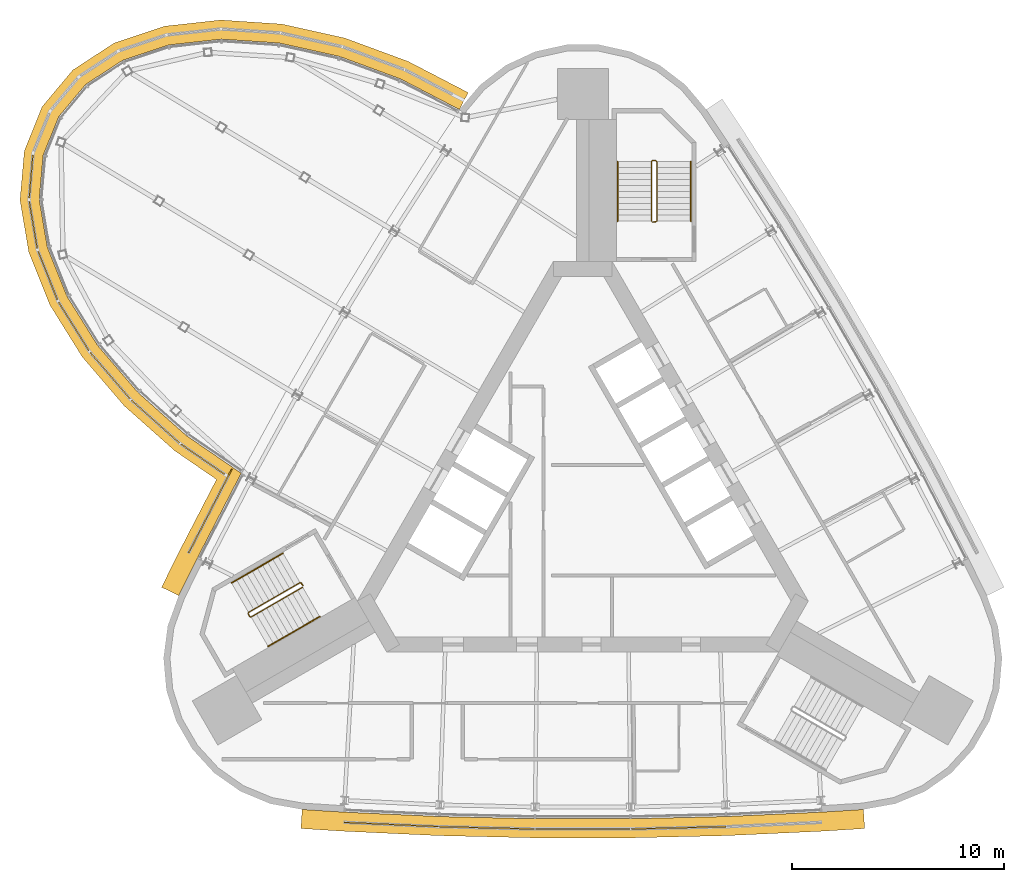
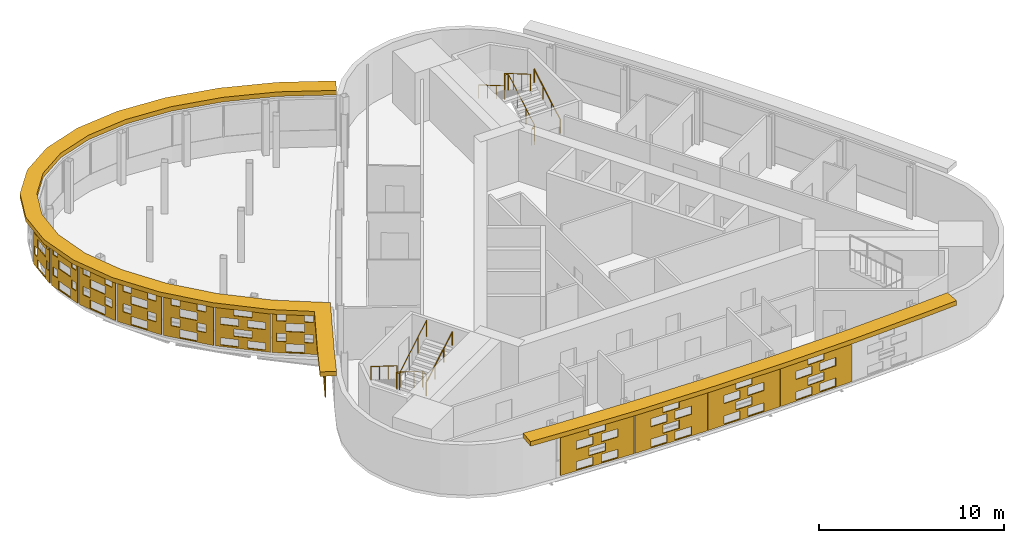
# One storey, part 12 of 13: 14 shading devices, 6 railings.
"""IFC4 building model written with IfcOpenShell, lengths in metres."""

from ifc_helpers import new_model, si_unit, direction, frame, origin, origin_2d, place, context, subcontext, project, spatial, polyline, circle, outline, extrude, material, layer, layer_set, material_profile, profile_set, type_object, element, save


model = new_model("IFC4")

# Units and contexts
model_context = context("Model", 3, precision=1e-05, world=origin(), true_north=direction((0.0, 1.0)))
body_context = subcontext(model_context, "Body", "Model", "MODEL_VIEW")
ifc_project = project(units=[si_unit("LENGTHUNIT", "METRE"), si_unit("AREAUNIT", "SQUARE_METRE"), si_unit("VOLUMEUNIT", "CUBIC_METRE"), si_unit("PLANEANGLEUNIT", "RADIAN"), si_unit("MASSUNIT", "GRAM", prefix="KILO")], contexts=[model_context])

# Site, building, storey
site_placement = place(None, origin())
site = spatial("IfcSite", under=ifc_project, at=site_placement, CompositionType="ELEMENT")
building_placement = place(site_placement, origin())
building = spatial("IfcBuilding", under=site, at=building_placement, Name="Noor Cloister Tower", CompositionType="ELEMENT")
storey_placement = place(building_placement, frame((0.0, 0.0, 267.0)))
storey = spatial("IfcBuildingStorey", under=building, at=storey_placement, Name="L68", CompositionType="ELEMENT", Elevation=267.0)

# Shading devices
ifc_material_1 = material(Name="Limestone", Category="masonry")
ifc_material_profile = material_profile(ifc_material_1, outline(polyline([(-2.22998046875, -1.35009765625), (2.22998046875, -1.35009765625), (2.22998046875, 1.35009765625), (-2.22998046875, 1.35009765625), (-2.22998046875, -1.35009765625)]), holes=[polyline([(-1.25, -1.282470703125), (-0.25, -1.282470703125), (-0.25, -0.742431640625), (-1.25, -0.742431640625), (-1.25, -1.282470703125)]), polyline([(0.25, -1.282470703125), (1.25, -1.282470703125), (1.25, -0.742431640625), (0.25, -0.742431640625), (0.25, -1.282470703125)]), polyline([(-0.5, -0.607421875), (0.5, -0.607421875), (0.5, -0.0673828125), (-0.5, -0.0673828125), (-0.5, -0.607421875)]), polyline([(-1.25, 0.0673828125), (-0.25, 0.0673828125), (-0.25, 0.607421875), (-1.25, 0.607421875), (-1.25, 0.0673828125)]), polyline([(0.25, 0.0673828125), (1.25, 0.0673828125), (1.25, 0.607421875), (0.25, 0.607421875), (0.25, 0.0673828125)]), polyline([(-0.5, 0.742431640625), (0.5, 0.742431640625), (0.5, 1.282470703125), (-0.5, 1.282470703125), (-0.5, 0.742431640625)])]), Name="Woven screen 35 percent open")
ifc_profile_set = profile_set([ifc_material_profile], Name="Limestone")
shading_device_type_1 = type_object("IfcShadingDeviceType", Name="SCREEN woven limestone 35 percent open", PredefinedType="USERDEFINED", material=ifc_profile_set)
shading_device_1_placement = place(storey_placement, frame((-17.51123046875, -0.3017578125, 1.85009765625), z_axis=(-0.888674000225, 0.458539552628, 0.0), x_axis=(-0.458539552628, -0.888674000225, 0.0)))
element("IfcShadingDevice", 1, at=shading_device_1_placement, inside=storey, type_object=shading_device_type_1, Name="SCREEN L68 17", ObjectType="SCREEN", PredefinedType="USERDEFINED", context=body_context, shape_type="SweptSolid", body=[
    extrude(outline(polyline([(-2.22998046875, -1.35009765625), (2.22998046875, -1.35009765625), (2.22998046875, 1.35009765625), (-2.22998046875, 1.35009765625), (-2.22998046875, -1.35009765625)]), holes=[polyline([(-1.25, -1.282470703125), (-0.25, -1.282470703125), (-0.25, -0.742431640625), (-1.25, -0.742431640625), (-1.25, -1.282470703125)]), polyline([(0.25, -1.282470703125), (1.25, -1.282470703125), (1.25, -0.742431640625), (0.25, -0.742431640625), (0.25, -1.282470703125)]), polyline([(-0.5, -0.607421875), (0.5, -0.607421875), (0.5, -0.0673828125), (-0.5, -0.0673828125), (-0.5, -0.607421875)]), polyline([(-1.25, 0.0673828125), (-0.25, 0.0673828125), (-0.25, 0.607421875), (-1.25, 0.607421875), (-1.25, 0.0673828125)]), polyline([(0.25, 0.0673828125), (1.25, 0.0673828125), (1.25, 0.607421875), (0.25, 0.607421875), (0.25, 0.0673828125)]), polyline([(-0.5, 0.742431640625), (0.5, 0.742431640625), (0.5, 1.282470703125), (-0.5, 1.282470703125), (-0.5, 0.742431640625)])]), origin(), (0.0, 0.0, 1.0), 0.06005859375),
])
shading_device_2_placement = place(storey_placement, frame((-9.01708984375, -15.014404296875, 1.85009765625), z_axis=(-0.044852774233, -0.998993607909, 0.0), x_axis=(0.998993607909, -0.044852774233, 0.0)))
element("IfcShadingDevice", 2, at=shading_device_2_placement, inside=storey, type_object=shading_device_type_1, Name="SCREEN L68 1", ObjectType="SCREEN", PredefinedType="USERDEFINED", context=body_context, shape_type="SweptSolid", body=[
    extrude(outline(polyline([(-2.22998046875, -1.35009765625), (2.22998046875, -1.35009765625), (2.22998046875, 1.35009765625), (-2.22998046875, 1.35009765625), (-2.22998046875, -1.35009765625)]), holes=[polyline([(-1.25, -1.282470703125), (-0.25, -1.282470703125), (-0.25, -0.742431640625), (-1.25, -0.742431640625), (-1.25, -1.282470703125)]), polyline([(0.25, -1.282470703125), (1.25, -1.282470703125), (1.25, -0.742431640625), (0.25, -0.742431640625), (0.25, -1.282470703125)]), polyline([(-0.5, -0.607421875), (0.5, -0.607421875), (0.5, -0.0673828125), (-0.5, -0.0673828125), (-0.5, -0.607421875)]), polyline([(-1.25, 0.0673828125), (-0.25, 0.0673828125), (-0.25, 0.607421875), (-1.25, 0.607421875), (-1.25, 0.0673828125)]), polyline([(0.25, 0.0673828125), (1.25, 0.0673828125), (1.25, 0.607421875), (0.25, 0.607421875), (0.25, 0.0673828125)]), polyline([(-0.5, 0.742431640625), (0.5, 0.742431640625), (0.5, 1.282470703125), (-0.5, 1.282470703125), (-0.5, 0.742431640625)])]), origin(), (0.0, 0.0, 1.0), 0.059814453125),
])
for number, where, z_axis, x_axis, name in (
    (3, (-4.509765625, -15.171142578125, 1.85009765625), (-0.024382992455, -0.999702690643, 0.0), (0.999702690643, -0.024382992455, 0.0), "SCREEN L68 2"),
    (4, (0.0, -15.223388671875, 1.85009765625), (0.0, -1.0, 0.0), (1.0, 0.0, 0.0), "SCREEN L68 3"),
    (5, (4.509765625, -15.171142578125, 1.85009765625), (0.024382992455, -0.999702690643, 0.0), (0.999702690643, 0.024382992455, 0.0), "SCREEN L68 4"),
):
    element("IfcShadingDevice", number, at=place(storey_placement, frame(where, z_axis=z_axis, x_axis=x_axis)), inside=storey, type_object=shading_device_type_1, Name=name, ObjectType="SCREEN", PredefinedType="USERDEFINED", context=body_context, shape_type="SweptSolid", body=[
        extrude(outline(polyline([(-2.22998046875, -1.35009765625), (2.22998046875, -1.35009765625), (2.22998046875, 1.35009765625), (-2.22998046875, 1.35009765625), (-2.22998046875, -1.35009765625)]), holes=[polyline([(-1.25, -1.282470703125), (-0.25, -1.282470703125), (-0.25, -0.742431640625), (-1.25, -0.742431640625), (-1.25, -1.282470703125)]), polyline([(0.25, -1.282470703125), (1.25, -1.282470703125), (1.25, -0.742431640625), (0.25, -0.742431640625), (0.25, -1.282470703125)]), polyline([(-0.5, -0.607421875), (0.5, -0.607421875), (0.5, -0.0673828125), (-0.5, -0.0673828125), (-0.5, -0.607421875)]), polyline([(-1.25, 0.0673828125), (-0.25, 0.0673828125), (-0.25, 0.607421875), (-1.25, 0.607421875), (-1.25, 0.0673828125)]), polyline([(0.25, 0.0673828125), (1.25, 0.0673828125), (1.25, 0.607421875), (0.25, 0.607421875), (0.25, 0.0673828125)]), polyline([(-0.5, 0.742431640625), (0.5, 0.742431640625), (0.5, 1.282470703125), (-0.5, 1.282470703125), (-0.5, 0.742431640625)])]), origin(), (0.0, 0.0, 1.0), 0.06005859375),
    ])
ifc_material_2 = material(Name="Limestone", Category="masonry")
ifc_layer = layer(ifc_material_2, 0.06005859375)
ifc_layer_set = layer_set([ifc_layer], Name="SCREEN woven limestone pod 35 percent open")
shading_device_type_2 = type_object("IfcShadingDeviceType", Name="SCREEN woven limestone pod 35 percent open", PredefinedType="USERDEFINED", material=ifc_layer_set)
shading_device_3_placement = place(storey_placement, frame((-25.9423828125, 15.4541015625, 1.85009765625), z_axis=(-0.996346649042, 0.085401141346, 0.0), x_axis=(-0.085401141346, -0.996346649042, 0.0)))
element("IfcShadingDevice", 6, at=shading_device_3_placement, inside=storey, type_object=shading_device_type_2, Name="SCREEN L68 10", ObjectType="SCREEN", PredefinedType="USERDEFINED", context=body_context, shape_type="SweptSolid", body=[
    extrude(outline(polyline([(-1.02099609375, -1.35009765625), (1.02099609375, -1.35009765625), (1.02099609375, 1.35009765625), (-1.02099609375, 1.35009765625), (-1.02099609375, -1.35009765625)]), holes=[polyline([(-0.5, -1.282470703125), (0.5, -1.282470703125), (0.5, -0.742431640625), (-0.5, -0.742431640625), (-0.5, -1.282470703125)]), polyline([(0.60009765625, -0.607421875), (0.87109375, -0.607421875), (0.87109375, -0.0673828125), (0.60009765625, -0.0673828125), (0.60009765625, -0.607421875)]), polyline([(-0.87109375, -0.607421875), (-0.60009765625, -0.607421875), (-0.60009765625, -0.0673828125), (-0.87109375, -0.0673828125), (-0.87109375, -0.607421875)]), polyline([(-0.5, 0.0673828125), (0.5, 0.0673828125), (0.5, 0.607421875), (-0.5, 0.607421875), (-0.5, 0.0673828125)]), polyline([(0.60009765625, 0.742431640625), (0.87109375, 0.742431640625), (0.87109375, 1.282470703125), (0.60009765625, 1.282470703125), (0.60009765625, 0.742431640625)]), polyline([(-0.87109375, 0.742431640625), (-0.60009765625, 0.742431640625), (-0.60009765625, 1.282470703125), (-0.87109375, 1.282470703125), (-0.87109375, 0.742431640625)])]), origin(), (0.0, 0.0, 1.0), 0.06005859375),
])
shading_device_4_placement = place(storey_placement, frame((-25.8388671875, 13.18212890625, 1.85009765625), z_axis=(-0.985949932544, -0.167041104274, 0.0), x_axis=(0.167041104274, -0.985949932544, 0.0)))
element("IfcShadingDevice", 7, at=shading_device_4_placement, inside=storey, type_object=shading_device_type_2, Name="SCREEN L68 11", ObjectType="SCREEN", PredefinedType="USERDEFINED", context=body_context, shape_type="SweptSolid", body=[
    extrude(outline(polyline([(-1.1162109375, -1.35009765625), (1.1162109375, -1.35009765625), (1.1162109375, 1.35009765625), (-1.1162109375, 1.35009765625), (-1.1162109375, -1.35009765625)]), holes=[polyline([(-0.5, -1.282470703125), (0.5, -1.282470703125), (0.5, -0.742431640625), (-0.5, -0.742431640625), (-0.5, -1.282470703125)]), polyline([(0.60009765625, -0.607421875), (0.96630859375, -0.607421875), (0.96630859375, -0.0673828125), (0.60009765625, -0.0673828125), (0.60009765625, -0.607421875)]), polyline([(-0.96630859375, -0.607421875), (-0.60009765625, -0.607421875), (-0.60009765625, -0.0673828125), (-0.96630859375, -0.0673828125), (-0.96630859375, -0.607421875)]), polyline([(-0.5, 0.0673828125), (0.5, 0.0673828125), (0.5, 0.607421875), (-0.5, 0.607421875), (-0.5, 0.0673828125)]), polyline([(0.60009765625, 0.742431640625), (0.96630859375, 0.742431640625), (0.96630859375, 1.282470703125), (0.60009765625, 1.282470703125), (0.60009765625, 0.742431640625)]), polyline([(-0.96630859375, 0.742431640625), (-0.60009765625, 0.742431640625), (-0.60009765625, 1.282470703125), (-0.96630859375, 1.282470703125), (-0.96630859375, 0.742431640625)])]), origin(), (0.0, 0.0, 1.0), 0.059814453125),
])
shading_device_5_placement = place(storey_placement, frame((-25.15869140625, 10.809814453125, 1.85009765625), z_axis=(-0.928757356094, -0.370688243003, 0.0), x_axis=(0.370688243003, -0.928757356094, 0.0)))
element("IfcShadingDevice", 8, at=shading_device_5_placement, inside=storey, type_object=shading_device_type_2, Name="SCREEN L68 12", ObjectType="SCREEN", PredefinedType="USERDEFINED", context=body_context, shape_type="SweptSolid", body=[
    extrude(outline(polyline([(-1.229736328125, -1.35009765625), (1.229736328125, -1.35009765625), (1.229736328125, 1.35009765625), (-1.229736328125, 1.35009765625), (-1.229736328125, -1.35009765625)]), holes=[polyline([(-0.5, -1.282470703125), (0.5, -1.282470703125), (0.5, -0.742431640625), (-0.5, -0.742431640625), (-0.5, -1.282470703125)]), polyline([(-1.0, -0.607421875), (-0.5, -0.607421875), (-0.5, -0.0673828125), (-1.0, -0.0673828125), (-1.0, -0.607421875)]), polyline([(0.5, -0.607421875), (1.0, -0.607421875), (1.0, -0.0673828125), (0.5, -0.0673828125), (0.5, -0.607421875)]), polyline([(-0.5, 0.0673828125), (0.5, 0.0673828125), (0.5, 0.607421875), (-0.5, 0.607421875), (-0.5, 0.0673828125)]), polyline([(-1.0, 0.742431640625), (-0.5, 0.742431640625), (-0.5, 1.282470703125), (-1.0, 1.282470703125), (-1.0, 0.742431640625)]), polyline([(0.5, 0.742431640625), (1.0, 0.742431640625), (1.0, 1.282470703125), (0.5, 1.282470703125), (0.5, 0.742431640625)])]), origin(), (0.0, 0.0, 1.0), 0.059814453125),
])
shading_device_6_placement = place(storey_placement, frame((-23.938232421875, 8.4228515625, 1.85009765625), z_axis=(-0.847998304005, -0.529998940003, 0.0), x_axis=(0.529998940003, -0.847998304005, 0.0)))
element("IfcShadingDevice", 9, at=shading_device_6_placement, inside=storey, type_object=shading_device_type_2, Name="SCREEN L68 13", ObjectType="SCREEN", PredefinedType="USERDEFINED", context=body_context, shape_type="SweptSolid", body=[
    extrude(outline(polyline([(-1.342041015625, -1.35009765625), (1.342041015625, -1.35009765625), (1.342041015625, 1.35009765625), (-1.342041015625, 1.35009765625), (-1.342041015625, -1.35009765625)]), holes=[polyline([(-0.5, -1.282470703125), (0.5, -1.282470703125), (0.5, -0.742431640625), (-0.5, -0.742431640625), (-0.5, -1.282470703125)]), polyline([(-1.0, -0.607421875), (-0.5, -0.607421875), (-0.5, -0.0673828125), (-1.0, -0.0673828125), (-1.0, -0.607421875)]), polyline([(0.5, -0.607421875), (1.0, -0.607421875), (1.0, -0.0673828125), (0.5, -0.0673828125), (0.5, -0.607421875)]), polyline([(-0.5, 0.0673828125), (0.5, 0.0673828125), (0.5, 0.607421875), (-0.5, 0.607421875), (-0.5, 0.0673828125)]), polyline([(-1.0, 0.742431640625), (-0.5, 0.742431640625), (-0.5, 1.282470703125), (-1.0, 1.282470703125), (-1.0, 0.742431640625)]), polyline([(0.5, 0.742431640625), (1.0, 0.742431640625), (1.0, 1.282470703125), (0.5, 1.282470703125), (0.5, 0.742431640625)])]), origin(), (0.0, 0.0, 1.0), 0.059814453125),
])
shading_device_7_placement = place(storey_placement, frame((-22.228759765625, 6.105224609375, 1.85009765625), z_axis=(-0.758104592341, -0.652132982659, 0.0), x_axis=(0.652132982659, -0.758104592341, 0.0)))
element("IfcShadingDevice", 10, at=shading_device_7_placement, inside=storey, type_object=shading_device_type_2, Name="SCREEN L68 14", ObjectType="SCREEN", PredefinedType="USERDEFINED", context=body_context, shape_type="SweptSolid", body=[
    extrude(outline(polyline([(-1.43798828125, -1.35009765625), (1.43798828125, -1.35009765625), (1.43798828125, 1.35009765625), (-1.43798828125, 1.35009765625), (-1.43798828125, -1.35009765625)]), holes=[polyline([(-0.5, -1.282470703125), (0.5, -1.282470703125), (0.5, -0.742431640625), (-0.5, -0.742431640625), (-0.5, -1.282470703125)]), polyline([(-1.0, -0.607421875), (-0.5, -0.607421875), (-0.5, -0.0673828125), (-1.0, -0.0673828125), (-1.0, -0.607421875)]), polyline([(0.5, -0.607421875), (1.0, -0.607421875), (1.0, -0.0673828125), (0.5, -0.0673828125), (0.5, -0.607421875)]), polyline([(-0.5, 0.0673828125), (0.5, 0.0673828125), (0.5, 0.607421875), (-0.5, 0.607421875), (-0.5, 0.0673828125)]), polyline([(-1.0, 0.742431640625), (-0.5, 0.742431640625), (-0.5, 1.282470703125), (-1.0, 1.282470703125), (-1.0, 0.742431640625)]), polyline([(0.5, 0.742431640625), (1.0, 0.742431640625), (1.0, 1.282470703125), (0.5, 1.282470703125), (0.5, 0.742431640625)])]), origin(), (0.0, 0.0, 1.0), 0.059814453125),
])
shading_device_8_placement = place(storey_placement, frame((-20.096435546875, 3.939453125, 1.85009765625), z_axis=(-0.66512331484, -0.74673353752, 0.0), x_axis=(0.74673353752, -0.66512331484, 0.0)))
element("IfcShadingDevice", 11, at=shading_device_8_placement, inside=storey, type_object=shading_device_type_2, Name="SCREEN L68 15", ObjectType="SCREEN", PredefinedType="USERDEFINED", context=body_context, shape_type="SweptSolid", body=[
    extrude(outline(polyline([(-1.50732421875, -1.35009765625), (1.50732421875, -1.35009765625), (1.50732421875, 1.35009765625), (-1.50732421875, 1.35009765625), (-1.50732421875, -1.35009765625)]), holes=[polyline([(-1.25, -1.25), (-0.25, -1.25), (-0.25, -0.775146484375), (-1.25, -0.775146484375), (-1.25, -1.25)]), polyline([(0.25, -1.25), (1.25, -1.25), (1.25, -0.775146484375), (0.25, -0.775146484375), (0.25, -1.25)]), polyline([(-0.5, -0.574951171875), (0.5, -0.574951171875), (0.5, -0.10009765625), (-0.5, -0.10009765625), (-0.5, -0.574951171875)]), polyline([(-1.25, 0.10009765625), (-0.25, 0.10009765625), (-0.25, 0.574951171875), (-1.25, 0.574951171875), (-1.25, 0.10009765625)]), polyline([(0.25, 0.10009765625), (1.25, 0.10009765625), (1.25, 0.574951171875), (0.25, 0.574951171875), (0.25, 0.10009765625)]), polyline([(-0.5, 0.775146484375), (0.5, 0.775146484375), (0.5, 1.25), (-0.5, 1.25), (-0.5, 0.775146484375)])]), origin(), (0.0, 0.0, 1.0), 0.059814453125),
])
shading_device_9_placement = place(storey_placement, frame((-17.869384765625, 2.173828125, 1.85009765625), z_axis=(-0.566874936249, -0.823803864189, 0.0), x_axis=(0.823803864189, -0.566874936249, 0.0)))
element("IfcShadingDevice", 12, at=shading_device_9_placement, inside=storey, type_object=shading_device_type_2, Name="SCREEN L68 16", ObjectType="SCREEN", PredefinedType="USERDEFINED", context=body_context, shape_type="SweptSolid", body=[
    extrude(outline(polyline([(-1.24365234375, -1.35009765625), (1.24365234375, -1.35009765625), (1.24365234375, 1.35009765625), (-1.24365234375, 1.35009765625), (-1.24365234375, -1.35009765625)]), holes=[polyline([(-0.5, -1.282470703125), (0.5, -1.282470703125), (0.5, -0.742431640625), (-0.5, -0.742431640625), (-0.5, -1.282470703125)]), polyline([(-1.0, -0.607421875), (-0.5, -0.607421875), (-0.5, -0.0673828125), (-1.0, -0.0673828125), (-1.0, -0.607421875)]), polyline([(0.5, -0.607421875), (1.0, -0.607421875), (1.0, -0.0673828125), (0.5, -0.0673828125), (0.5, -0.607421875)]), polyline([(-0.5, 0.0673828125), (0.5, 0.0673828125), (0.5, 0.607421875), (-0.5, 0.607421875), (-0.5, 0.0673828125)]), polyline([(-1.0, 0.742431640625), (-0.5, 0.742431640625), (-0.5, 1.282470703125), (-1.0, 1.282470703125), (-1.0, 0.742431640625)]), polyline([(0.5, 0.742431640625), (1.0, 0.742431640625), (1.0, 1.282470703125), (0.5, 1.282470703125), (0.5, 0.742431640625)])]), origin(), (0.0, 0.0, 1.0), 0.059814453125),
])
ifc_material_3 = material(Name="Limestone", Category="masonry")
shading_device_type_3 = type_object("IfcShadingDeviceType", Name="SUNSHADE limestone band 900", PredefinedType="USERDEFINED", material=ifc_material_3)
shading_device_10_placement = place(storey_placement, frame((0.0, 0.0, 3.300048828125)))
element("IfcShadingDevice", 13, at=shading_device_10_placement, inside=storey, type_object=shading_device_type_3, Name="SUNSHADE L68 1", ObjectType="SUNSHADE", PredefinedType="USERDEFINED", context=body_context, shape_type="SweptSolid", body=[
    extrude(outline(polyline([(-5.39501953125, 19.408447265625), (-8.220703125, 20.87548828125), (-11.197021484375, 21.972900390625), (-14.169677734375, 22.6328125), (-17.03515625, 22.8251953125), (-19.694091796875, 22.532470703125), (-22.050537109375, 21.74609375), (-24.00390625, 20.47216796875), (-25.446533203125, 18.74853515625), (-26.287841796875, 16.664306640625), (-26.491943359375, 14.341064453125), (-26.076171875, 11.89208984375), (-25.08251953125, 9.408203125), (-23.563720703125, 6.970947265625), (-21.58203125, 4.6591796875), (-19.21240234375, 2.55029296875), (-17.242431640625, 1.19775390625), (-18.947998046875, -2.100341796875), (-19.827392578125, -3.873291015625), (-19.021240234375, -4.2734375), (-18.14501953125, -2.507080078125), (-16.078125, 1.489990234375), (-18.65625, 3.260009765625), (-20.938232421875, 5.291015625), (-22.8359375, 7.5048828125), (-24.276611328125, 9.816650390625), (-25.205078125, 12.13720703125), (-25.58544921875, 14.377685546875), (-25.403076171875, 16.45166015625), (-24.6650390625, 18.27978515625), (-23.399658203125, 19.79150390625), (-21.65576171875, 20.928955078125), (-19.500244140625, 21.6484375), (-17.015869140625, 21.921875), (-14.298095703125, 21.7392578125), (-11.451416015625, 21.107421875), (-8.585205078125, 20.05078125), (-5.809814453125, 18.609619140625), (-5.39501953125, 19.408447265625)])), origin(), (0.0, 0.0, 1.0), 0.300048828125),
])
shading_device_11_placement = place(storey_placement, frame((0.0, 0.0, 3.300048828125)))
element("IfcShadingDevice", 14, at=shading_device_11_placement, inside=storey, type_object=shading_device_type_3, Name="SUNSHADE L68 2", ObjectType="SUNSHADE", PredefinedType="USERDEFINED", context=body_context, shape_type="SweptSolid", body=[
    extrude(outline(polyline([(-13.268310546875, -15.234375), (-11.29296875, -15.359130859375), (-6.780029296875, -15.568603515625), (-2.260498046875, -15.673583984375), (2.260498046875, -15.673583984375), (6.780029296875, -15.568603515625), (11.29296875, -15.359130859375), (13.268310546875, -15.234375), (13.21142578125, -14.336181640625), (11.24365234375, -14.46044921875), (6.74853515625, -14.669189453125), (2.25, -14.7734375), (-2.25, -14.7734375), (-6.74853515625, -14.669189453125), (-11.24365234375, -14.46044921875), (-13.21142578125, -14.336181640625), (-13.268310546875, -15.234375)])), origin(), (0.0, 0.0, 1.0), 0.300048828125),
])

# Railings
ifc_material_4 = material(Name="Stainless steel", Category="steel")
railing_type_1 = type_object("IfcRailingType", Name="Stair guard 1100", PredefinedType="GUARDRAIL", material=ifc_material_4)
railing_1_placement = place(storey_placement, frame((3.435546875, 13.306396484375, 0.0)))
element("IfcRailing", 15, at=railing_1_placement, inside=storey, type_object=railing_type_1, Name="Stair guard ST1 L68", PredefinedType="GUARDRAIL", context=body_context, shape_type="SweptSolid", body=[
    extrude(circle(Radius=0.02392578125, at=origin_2d()), frame((0.0, 0.0, 1.076171875), z_axis=(-1.0, 0.0, 0.0), x_axis=(0.0, -1.0, 0.0)), (0.0, 0.0, 1.0), 0.14990234375),
    extrude(circle(Radius=0.02392578125, at=origin_2d()), frame((-0.14990234375, 0.0, 1.076171875), z_axis=(0.759870394187, 0.190199549216, 0.621627795), x_axis=(-0.242814311512, 0.970072785993, 0.0)), (0.0, 0.0, 1.0), 0.26318359375),
    extrude(circle(Radius=0.02392578125, at=origin_2d()), frame((0.050048828125, 0.050048828125, 1.23974609375), z_axis=(0.0, 0.863360870873, 0.504586966384), x_axis=(-1.0, 0.0, 0.0)), (0.0, 0.0, 1.0), 3.2431640625),
    extrude(circle(Radius=0.02392578125, at=origin_2d()), frame((0.050048828125, 2.85009765625, 2.8759765625), z_axis=(-0.708833529934, 0.705375805398, 0.0), x_axis=(-0.705375805398, -0.708833529934, 0.0)), (0.0, 0.0, 1.0), 0.070556640625),
    extrude(circle(Radius=0.02392578125, at=origin_2d()), frame((0.0, 2.89990234375, 2.8759765625), z_axis=(-1.0, 0.0, 0.0), x_axis=(0.0, -1.0, 0.0)), (0.0, 0.0, 1.0), 0.14990234375),
    extrude(circle(Radius=0.02392578125, at=origin_2d()), frame((-0.14990234375, 2.89990234375, 2.8759765625), z_axis=(-0.280916556609, -0.279546231943, 0.91811752648), x_axis=(0.705375805398, -0.708833529934, 0.0)), (0.0, 0.0, 1.0), 0.17822265625),
    extrude(circle(Radius=0.02392578125, at=origin_2d()), frame((-0.199951171875, 2.85009765625, 3.03955078125), z_axis=(0.0, -0.863360870873, 0.504586966384), x_axis=(1.0, 0.0, 0.0)), (0.0, 0.0, 1.0), 3.2431640625),
    extrude(circle(Radius=0.02099609375, at=origin_2d()), origin(), (0.0, 0.0, 1.0), 1.052001953125),
    extrude(circle(Radius=0.02099609375, at=origin_2d()), frame((-0.14990234375, 0.0, 0.0)), (0.0, 0.0, 1.0), 1.052001953125),
    extrude(circle(Radius=0.02099609375, at=origin_2d()), frame((0.050048828125, 0.050048828125, 0.16357421875)), (0.0, 0.0, 1.0), 1.052001953125),
    extrude(circle(Radius=0.02099609375, at=origin_2d()), frame((0.050048828125, 0.9833984375, 0.708984375)), (0.0, 0.0, 1.0), 1.052001953125),
    extrude(circle(Radius=0.02099609375, at=origin_2d()), frame((0.050048828125, 1.916748046875, 1.254638671875)), (0.0, 0.0, 1.0), 1.052001953125),
    extrude(circle(Radius=0.02099609375, at=origin_2d()), frame((0.050048828125, 2.85009765625, 1.800048828125)), (0.0, 0.0, 1.0), 1.052001953125),
    extrude(circle(Radius=0.02099609375, at=origin_2d()), frame((0.0, 2.89990234375, 1.800048828125)), (0.0, 0.0, 1.0), 1.052001953125),
    extrude(circle(Radius=0.02099609375, at=origin_2d()), frame((-0.14990234375, 2.89990234375, 1.800048828125)), (0.0, 0.0, 1.0), 1.052001953125),
    extrude(circle(Radius=0.02099609375, at=origin_2d()), frame((-0.199951171875, 2.85009765625, 1.963623046875)), (0.0, 0.0, 1.0), 1.052001953125),
    extrude(circle(Radius=0.02099609375, at=origin_2d()), frame((-0.199951171875, 1.916748046875, 2.509033203125)), (0.0, 0.0, 1.0), 1.052001953125),
    extrude(circle(Radius=0.02099609375, at=origin_2d()), frame((-0.199951171875, 0.9833984375, 3.0546875)), (0.0, 0.0, 1.0), 1.052001953125),
    extrude(circle(Radius=0.02099609375, at=origin_2d()), frame((-0.199951171875, 0.050048828125, 3.60009765625)), (0.0, 0.0, 1.0), 1.052001953125),
])
railing_2_placement = place(storey_placement, frame((-13.241455078125, -3.677734375, 0.0)))
element("IfcRailing", 16, at=railing_2_placement, inside=storey, type_object=railing_type_1, Name="Stair guard ST2 L68", PredefinedType="GUARDRAIL", context=body_context, shape_type="SweptSolid", body=[
    extrude(circle(Radius=0.02392578125, at=origin_2d()), frame((0.0, 0.0, 1.076171875), z_axis=(0.499112439033, -0.866537231285, 0.0), x_axis=(0.866537231285, 0.499112439033, 0.0)), (0.0, 0.0, 1.0), 0.150146484375),
    extrude(circle(Radius=0.02392578125, at=origin_2d()), frame((0.074951171875, -0.130126953125, 1.076171875), z_axis=(-0.544565797804, 0.563119998752, 0.621565731736), x_axis=(-0.718850276695, -0.695164929852, 0.0)), (0.0, 0.0, 1.0), 0.26318359375),
    extrude(circle(Radius=0.02392578125, at=origin_2d()), frame((-0.068359375, 0.01806640625, 1.23974609375), z_axis=(-0.747689811644, -0.431660630283, 0.504607813879), x_axis=(0.49998411664, -0.866034573852, 0.0)), (0.0, 0.0, 1.0), 3.2431640625),
    extrude(circle(Radius=0.02392578125, at=origin_2d()), frame((-2.4931640625, -1.3818359375, 2.8759765625), z_axis=(-0.258736085224, -0.965948051503, 0.0), x_axis=(0.965948051503, -0.258736085224, 0.0)), (0.0, 0.0, 1.0), 0.07080078125),
    extrude(circle(Radius=0.02392578125, at=origin_2d()), frame((-2.511474609375, -1.4501953125, 2.8759765625), z_axis=(0.499816412211, -0.866131372301, 0.0), x_axis=(0.866131372301, 0.499816412211, 0.0)), (0.0, 0.0, 1.0), 0.14990234375),
    extrude(circle(Radius=0.02392578125, at=origin_2d()), frame((-2.4365234375, -1.580078125, 2.8759765625), z_axis=(0.383552647116, -0.102737316192, 0.917786691313), x_axis=(0.258736085224, 0.965948051503, 0.0)), (0.0, 0.0, 1.0), 0.17822265625),
    extrude(circle(Radius=0.02392578125, at=origin_2d()), frame((-2.3681640625, -1.598388671875, 3.03955078125), z_axis=(0.747665513933, 0.431721881032, 0.504591415616), x_axis=(-0.500049511043, 0.865996816683, 0.0)), (0.0, 0.0, 1.0), 3.2431640625),
    extrude(circle(Radius=0.02099609375, at=origin_2d()), origin(), (0.0, 0.0, 1.0), 1.052001953125),
    extrude(circle(Radius=0.02099609375, at=origin_2d()), frame((0.074951171875, -0.130126953125, 0.0)), (0.0, 0.0, 1.0), 1.052001953125),
    extrude(circle(Radius=0.02099609375, at=origin_2d()), frame((-0.068359375, 0.01806640625, 0.16357421875)), (0.0, 0.0, 1.0), 1.052001953125),
    extrude(circle(Radius=0.02099609375, at=origin_2d()), frame((-0.876708984375, -0.448486328125, 0.708984375)), (0.0, 0.0, 1.0), 1.052001953125),
    extrude(circle(Radius=0.02099609375, at=origin_2d()), frame((-1.684814453125, -0.915283203125, 1.254638671875)), (0.0, 0.0, 1.0), 1.052001953125),
    extrude(circle(Radius=0.02099609375, at=origin_2d()), frame((-2.4931640625, -1.3818359375, 1.800048828125)), (0.0, 0.0, 1.0), 1.052001953125),
    extrude(circle(Radius=0.02099609375, at=origin_2d()), frame((-2.511474609375, -1.4501953125, 1.800048828125)), (0.0, 0.0, 1.0), 1.052001953125),
    extrude(circle(Radius=0.02099609375, at=origin_2d()), frame((-2.4365234375, -1.580078125, 1.800048828125)), (0.0, 0.0, 1.0), 1.052001953125),
    extrude(circle(Radius=0.02099609375, at=origin_2d()), frame((-2.3681640625, -1.598388671875, 1.963623046875)), (0.0, 0.0, 1.0), 1.052001953125),
    extrude(circle(Radius=0.02099609375, at=origin_2d()), frame((-1.559814453125, -1.131591796875, 2.509033203125)), (0.0, 0.0, 1.0), 1.052001953125),
    extrude(circle(Radius=0.02099609375, at=origin_2d()), frame((-0.751708984375, -0.6650390625, 3.0546875)), (0.0, 0.0, 1.0), 1.052001953125),
    extrude(circle(Radius=0.02099609375, at=origin_2d()), frame((0.056640625, -0.1982421875, 3.60009765625)), (0.0, 0.0, 1.0), 1.052001953125),
])
ifc_material_5 = material(Name="Stainless steel", Category="steel")
railing_type_2 = type_object("IfcRailingType", Name="Stair handrail 900", PredefinedType="HANDRAIL", material=ifc_material_5)
railing_3_placement = place(storey_placement, frame((5.085693359375, 13.3564453125, 0.16357421875)))
element("IfcRailing", 17, at=railing_3_placement, inside=storey, type_object=railing_type_2, Name="Stair handrail ST1 L68 1", PredefinedType="HANDRAIL", context=body_context, shape_type="SweptSolid", body=[
    extrude(circle(Radius=0.02392578125, at=origin_2d()), frame((0.0, 0.0, 0.8759765625), z_axis=(0.0, 0.863360870873, 0.504586966384), x_axis=(-1.0, 0.0, 0.0)), (0.0, 0.0, 1.0), 3.2431640625),
    extrude(circle(Radius=0.02099609375, at=origin_2d()), origin(), (0.0, 0.0, 1.0), 0.851806640625),
    extrude(circle(Radius=0.02099609375, at=origin_2d()), frame((0.0, 0.933349609375, 0.54541015625)), (0.0, 0.0, 1.0), 0.851806640625),
    extrude(circle(Radius=0.02099609375, at=origin_2d()), frame((0.0, 1.86669921875, 1.091064453125)), (0.0, 0.0, 1.0), 0.851806640625),
    extrude(circle(Radius=0.02099609375, at=origin_2d()), frame((0.0, 2.800048828125, 1.636474609375)), (0.0, 0.0, 1.0), 0.851806640625),
])
railing_4_placement = place(storey_placement, frame((1.6357421875, 16.156494140625, 1.963623046875)))
element("IfcRailing", 18, at=railing_4_placement, inside=storey, type_object=railing_type_2, Name="Stair handrail ST1 L68 2", PredefinedType="HANDRAIL", context=body_context, shape_type="SweptSolid", body=[
    extrude(circle(Radius=0.02392578125, at=origin_2d()), frame((0.0, 0.0, 0.8759765625), z_axis=(0.0, -0.863360870873, 0.504586966384), x_axis=(1.0, 0.0, 0.0)), (0.0, 0.0, 1.0), 3.2431640625),
    extrude(circle(Radius=0.02099609375, at=origin_2d()), origin(), (0.0, 0.0, 1.0), 0.851806640625),
    extrude(circle(Radius=0.02099609375, at=origin_2d()), frame((0.0, -0.933349609375, 0.54541015625)), (0.0, 0.0, 1.0), 0.851806640625),
    extrude(circle(Radius=0.02099609375, at=origin_2d()), frame((0.0, -1.86669921875, 1.091064453125)), (0.0, 0.0, 1.0), 0.851806640625),
    extrude(circle(Radius=0.02099609375, at=origin_2d()), frame((0.0, -2.800048828125, 1.636474609375)), (0.0, 0.0, 1.0), 0.851806640625),
])
railing_5_placement = place(storey_placement, frame((-14.10986328125, -2.27392578125, 0.16357421875)))
element("IfcRailing", 19, at=railing_5_placement, inside=storey, type_object=railing_type_2, Name="Stair handrail ST2 L68 1", PredefinedType="HANDRAIL", context=body_context, shape_type="SweptSolid", body=[
    extrude(circle(Radius=0.02392578125, at=origin_2d()), frame((0.0, 0.0, 0.8759765625), z_axis=(-0.747689811644, -0.431660630283, 0.504607813879), x_axis=(0.49998411664, -0.866034573852, 0.0)), (0.0, 0.0, 1.0), 3.2431640625),
    extrude(circle(Radius=0.02099609375, at=origin_2d()), origin(), (0.0, 0.0, 1.0), 0.851806640625),
    extrude(circle(Radius=0.02099609375, at=origin_2d()), frame((-0.808349609375, -0.466552734375, 0.54541015625)), (0.0, 0.0, 1.0), 0.851806640625),
    extrude(circle(Radius=0.02099609375, at=origin_2d()), frame((-1.616455078125, -0.933349609375, 1.091064453125)), (0.0, 0.0, 1.0), 0.851806640625),
    extrude(circle(Radius=0.02099609375, at=origin_2d()), frame((-2.4248046875, -1.39990234375, 1.636474609375)), (0.0, 0.0, 1.0), 0.851806640625),
])
railing_6_placement = place(storey_placement, frame((-14.8095703125, -6.66162109375, 1.963623046875)))
element("IfcRailing", 20, at=railing_6_placement, inside=storey, type_object=railing_type_2, Name="Stair handrail ST2 L68 2", PredefinedType="HANDRAIL", context=body_context, shape_type="SweptSolid", body=[
    extrude(circle(Radius=0.02392578125, at=origin_2d()), frame((0.0, 0.0, 0.8759765625), z_axis=(0.747689811644, 0.431660630283, 0.504607813879), x_axis=(-0.49998411664, 0.866034573852, 0.0)), (0.0, 0.0, 1.0), 3.2431640625),
    extrude(circle(Radius=0.02099609375, at=origin_2d()), origin(), (0.0, 0.0, 1.0), 0.851806640625),
    extrude(circle(Radius=0.02099609375, at=origin_2d()), frame((0.808349609375, 0.466552734375, 0.54541015625)), (0.0, 0.0, 1.0), 0.851806640625),
    extrude(circle(Radius=0.02099609375, at=origin_2d()), frame((1.616455078125, 0.933349609375, 1.091064453125)), (0.0, 0.0, 1.0), 0.851806640625),
    extrude(circle(Radius=0.02099609375, at=origin_2d()), frame((2.4248046875, 1.39990234375, 1.636474609375)), (0.0, 0.0, 1.0), 0.851806640625),
])

save(model, "model.ifc")
